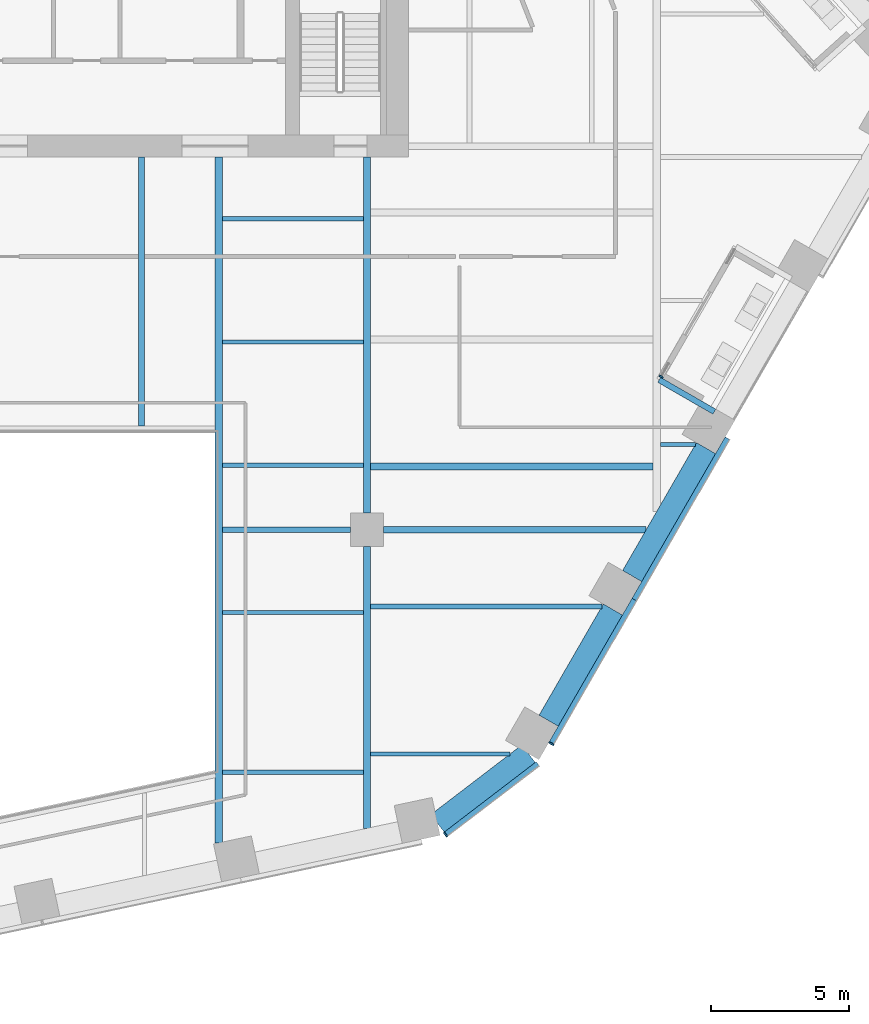
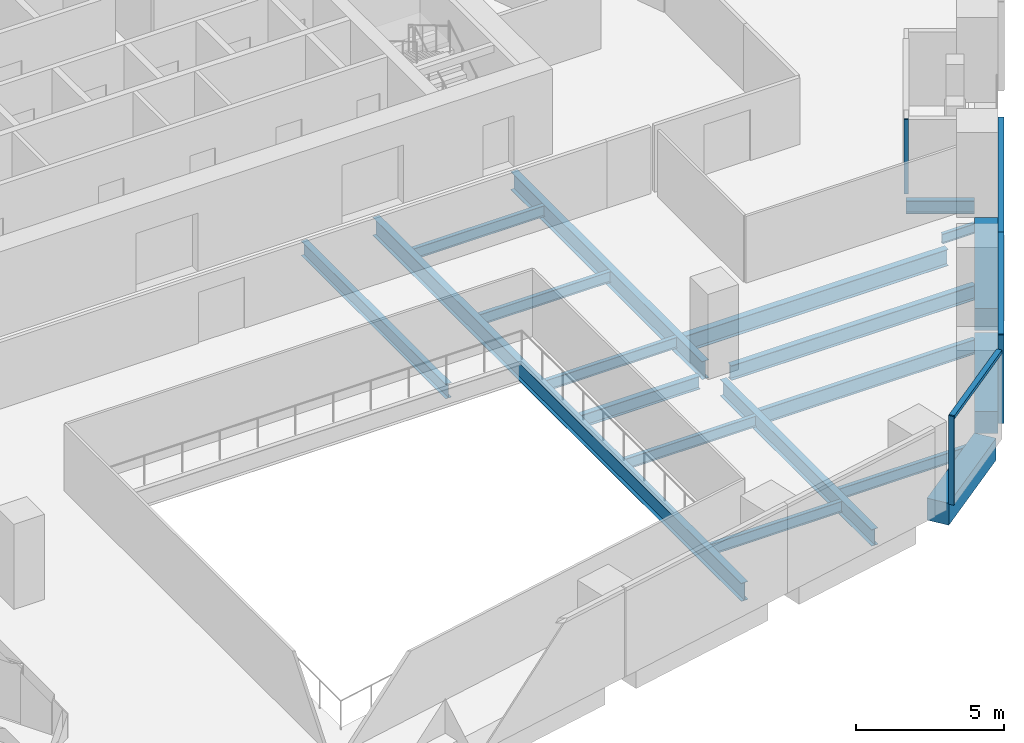
# One storey, part 6 of 26: 19 beams, 6 members, 3 elements without a shape of their own.
"""IFC4 building model written with IfcOpenShell, lengths in metres."""

from ifc_helpers import new_model, si_unit, direction, frame, origin, origin_2d, place, context, subcontext, project, spatial, rectangle, i_section, extrude, material, layer, layer_set, material_profile, profile_set, type_object, element, aggregate, save


model = new_model("IFC4")

# Units and contexts
model_context = context("Model", 3, precision=1e-05, world=origin(), true_north=direction((0.0, 1.0)))
body_context = subcontext(model_context, "Body", "Model", "MODEL_VIEW")
ifc_project = project(units=[si_unit("LENGTHUNIT", "METRE"), si_unit("AREAUNIT", "SQUARE_METRE"), si_unit("VOLUMEUNIT", "CUBIC_METRE"), si_unit("PLANEANGLEUNIT", "RADIAN"), si_unit("MASSUNIT", "GRAM", prefix="KILO")], contexts=[model_context])

# Site, building, storey
site_placement = place(None, origin())
site = spatial("IfcSite", under=ifc_project, at=site_placement, CompositionType="ELEMENT")
building_placement = place(site_placement, origin())
building = spatial("IfcBuilding", under=site, at=building_placement, Name="Isthmus Gate Tower", CompositionType="ELEMENT")
storey_placement = place(building_placement, frame((0.0, 0.0, 129.800048828125)))
storey = spatial("IfcBuildingStorey", under=building, at=storey_placement, Name="L31", CompositionType="ELEMENT", Elevation=129.800048828125)

# Curtain wall, member
ifc_material_1 = material(Name="Aluminium, pale champagne anodised", Category="aluminium")
ifc_layer_1 = layer(ifc_material_1, 0.199951171875)
ifc_layer_set_1 = layer_set([ifc_layer_1], Name="CW-1 UNITISED CURTAIN WALL 200 DEEP")
curtain_wall_type_1 = type_object("IfcCurtainWallType", Name="CW-1 UNITISED CURTAIN WALL 200 DEEP", PredefinedType="NOTDEFINED", material=ifc_layer_set_1)
curtain_wall_1_placement = place(storey_placement, origin())
curtain_wall_1 = element("IfcCurtainWall", 1, at=curtain_wall_1_placement, inside=storey, type_object=curtain_wall_type_1, Name="CW-1 S-SE L31", PredefinedType="NOTDEFINED")
ifc_material_2 = material(Name="Aluminium, pale champagne anodised", Category="aluminium")
ifc_material_profile_1 = material_profile(ifc_material_2, rectangle(XDim=0.06005859375, YDim=0.199951171875, at=origin_2d()), Name="60x200")
ifc_profile_set_1 = profile_set([ifc_material_profile_1], Name="Aluminium, pale champagne anodised")
member_type_1 = type_object("IfcMemberType", Name="CW-1 MULLION 60 X 200", PredefinedType="MULLION", material=ifc_profile_set_1)
member_1_placement = place(storey_placement, frame((16.346435546875, -24.5419921875, 0.0), z_axis=(0.0, 0.0, 1.0), x_axis=(0.794188594387, 0.607671355706, 0.0)))
member_1 = element("IfcMember", 2, at=member_1_placement, type_object=member_type_1, Name="CW-1 mullion", PredefinedType="MULLION", context=body_context, shape_type="SweptSolid", body=[
    extrude(rectangle(XDim=0.06005859375, YDim=0.199951171875, at=origin_2d()), origin(), (0.0, 0.0, 1.0), 3.64990234375),
])

curtain_wall_2_placement = place(storey_placement, origin())
curtain_wall_2 = element("IfcCurtainWall", 3, at=curtain_wall_2_placement, inside=storey, type_object=curtain_wall_type_1, Name="CW-1 SE L31", PredefinedType="NOTDEFINED")
member_2_placement = place(storey_placement, frame((20.18115234375, -21.245361328125, 0.0), z_axis=(0.0, 0.0, 1.0), x_axis=(0.5, 0.866025403784, 0.0)))
member_2 = element("IfcMember", 4, at=member_2_placement, type_object=member_type_1, Name="CW-1 mullion", PredefinedType="MULLION", context=body_context, shape_type="SweptSolid", body=[
    extrude(rectangle(XDim=0.06005859375, YDim=0.199951171875, at=origin_2d()), origin(), (0.0, 0.0, 1.0), 3.64990234375),
])

# Member
ifc_material_3 = material(Name="Aluminium, pale champagne anodised", Category="aluminium")
ifc_material_profile_2 = material_profile(ifc_material_3, rectangle(XDim=0.199951171875, YDim=0.139892578125, at=origin_2d()), Name="200x140")
ifc_profile_set_2 = profile_set([ifc_material_profile_2], Name="Aluminium, pale champagne anodised")
member_type_2 = type_object("IfcMemberType", Name="CW-1 TRANSOM 200 X 140", PredefinedType="USERDEFINED", material=ifc_profile_set_2)
member_3_placement = place(storey_placement, frame((16.3701171875, -24.52392578125, 3.579833984375), z_axis=(0.79419705805, 0.607660294066, 0.0), x_axis=(-0.607660294066, 0.79419705805, 0.0)))
member_3 = element("IfcMember", 5, at=member_3_placement, type_object=member_type_2, Name="CW-1 transom", ObjectType="TRANSOM", PredefinedType="USERDEFINED", context=body_context, shape_type="SweptSolid", body=[
    extrude(rectangle(XDim=0.199951171875, YDim=0.139892578125, at=origin_2d()), origin(), (0.0, 0.0, 1.0), 4.181640625),
])

aggregate(curtain_wall_1, [member_1, member_3])

member_4_placement = place(storey_placement, frame((20.196044921875, -21.219482421875, 3.579833984375), z_axis=(0.499996458184, 0.866027448643, 0.0), x_axis=(-0.866027448643, 0.499996458184, 0.0)))
member_4 = element("IfcMember", 6, at=member_4_placement, type_object=member_type_2, Name="CW-1 transom", ObjectType="TRANSOM", PredefinedType="USERDEFINED", context=body_context, shape_type="SweptSolid", body=[
    extrude(rectangle(XDim=0.199951171875, YDim=0.139892578125, at=origin_2d()), origin(), (0.0, 0.0, 1.0), 5.990234375),
])

member_5_placement = place(storey_placement, frame((23.191162109375, -16.03173828125, 3.579833984375), z_axis=(0.499997969693, 0.866026575979, 0.0), x_axis=(-0.866026575979, 0.499997969693, 0.0)))
member_5 = element("IfcMember", 7, at=member_5_placement, type_object=member_type_2, Name="CW-1 transom", ObjectType="TRANSOM", PredefinedType="USERDEFINED", context=body_context, shape_type="SweptSolid", body=[
    extrude(rectangle(XDim=0.199951171875, YDim=0.139892578125, at=origin_2d()), origin(), (0.0, 0.0, 1.0), 6.75),
])

aggregate(curtain_wall_2, [member_2, member_4, member_5])

# Curtain wall, member
ifc_material_4 = material(Name="Aluminium, pale champagne anodised", Category="aluminium")
ifc_layer_2 = layer(ifc_material_4, 0.14990234375)
ifc_layer_set_2 = layer_set([ifc_layer_2], Name="CW-6 LOGGIA BACK WALL GLAZING 150 DEEP")
curtain_wall_type_2 = type_object("IfcCurtainWallType", Name="CW-6 LOGGIA BACK WALL GLAZING 150 DEEP", PredefinedType="NOTDEFINED", material=ifc_layer_set_2)
curtain_wall_3_placement = place(storey_placement, origin())
curtain_wall_3 = element("IfcCurtainWall", 8, at=curtain_wall_3_placement, inside=storey, type_object=curtain_wall_type_2, Name="CW-6 SE L31", PredefinedType="NOTDEFINED")
ifc_material_5 = material(Name="Aluminium, pale champagne anodised", Category="aluminium")
ifc_material_profile_3 = material_profile(ifc_material_5, rectangle(XDim=0.06005859375, YDim=0.14990234375, at=origin_2d()), Name="60x150")
ifc_profile_set_3 = profile_set([ifc_material_profile_3], Name="Aluminium, pale champagne anodised")
member_type_3 = type_object("IfcMemberType", Name="CW-6 MULLION 60 X 150", PredefinedType="MULLION", material=ifc_profile_set_3)
member_6_placement = place(storey_placement, frame((24.159912109375, -7.953857421875, 0.0), z_axis=(0.0, 0.0, 1.0), x_axis=(0.5, 0.866025403784, 0.0)))
member_6 = element("IfcMember", 9, at=member_6_placement, type_object=member_type_3, Name="CW-6 mullion", PredefinedType="MULLION", context=body_context, shape_type="SweptSolid", body=[
    extrude(rectangle(XDim=0.06005859375, YDim=0.14990234375, at=origin_2d()), origin(), (0.0, 0.0, 1.0), 3.050048828125),
])
aggregate(curtain_wall_3, [member_6])

# Beams
ifc_material_6 = material(Name="Concrete f'c 60 MPa", Category="concrete")
ifc_material_profile_4 = material_profile(ifc_material_6, rectangle(XDim=0.800048828125, YDim=0.89990234375, at=origin_2d()), Name="RC 800X900")
ifc_profile_set_4 = profile_set([ifc_material_profile_4], Name="Concrete f'c 60 MPa")
beam_type_1 = type_object("IfcBeamType", Name="RC SPANDREL 800 X 900", PredefinedType="SPANDREL", material=ifc_profile_set_4)
beam_1_placement = place(storey_placement, frame((25.783203125, -10.542236328125, -0.449951171875), z_axis=(-0.500001594578, -0.866024483152, 0.0), x_axis=(0.866024483152, -0.500001594578, 0.0)))
element("IfcBeam", 10, at=beam_1_placement, inside=storey, type_object=beam_type_1, Name="str-spandrel-L31-08", PredefinedType="SPANDREL", context=body_context, shape_type="SweptSolid", body=[
    extrude(rectangle(XDim=0.800048828125, YDim=0.89990234375, at=origin_2d()), origin(), (0.0, 0.0, 1.0), 5.35009765625),
])
beam_2_placement = place(storey_placement, frame((22.408203125, -16.387939453125, -0.449951171875), z_axis=(-0.500001179632, -0.866024722723, 0.0), x_axis=(0.866024722723, -0.500001179632, 0.0)))
element("IfcBeam", 11, at=beam_2_placement, inside=storey, type_object=beam_type_1, Name="str-spandrel-L31-09", PredefinedType="SPANDREL", context=body_context, shape_type="SweptSolid", body=[
    extrude(rectangle(XDim=0.800048828125, YDim=0.89990234375, at=origin_2d()), origin(), (0.0, 0.0, 1.0), 4.650390625),
])
beam_3_placement = place(storey_placement, frame((19.354248046875, -21.611083984375, -0.449951171875), z_axis=(-0.794205941875, -0.607648682949, 0.0), x_axis=(0.607648682949, -0.794205941875, 0.0)))
element("IfcBeam", 12, at=beam_3_placement, inside=storey, type_object=beam_type_1, Name="str-spandrel-L31-10", PredefinedType="SPANDREL", context=body_context, shape_type="SweptSolid", body=[
    extrude(rectangle(XDim=0.800048828125, YDim=0.89990234375, at=origin_2d()), origin(), (0.0, 0.0, 1.0), 4.15234375),
])
ifc_material_7 = material(Name="Structural steel ASTM A992 Gr 50", Category="steel")
ifc_material_profile_5 = material_profile(ifc_material_7, i_section(OverallWidth=0.1396484375, OverallDepth=0.4033203125, WebThickness=0.00634765625, FlangeThickness=0.010986328125, at=origin_2d()), Name="W16X31")
ifc_profile_set_5 = profile_set([ifc_material_profile_5], Name="Structural steel ASTM A992 Gr 50")
beam_type_2 = type_object("IfcBeamType", Name="STEEL FLOOR BEAM W16X31", PredefinedType="JOIST", material=ifc_profile_set_5)
beam_4_placement = place(storey_placement, frame((24.13330078125, -10.407470703125, -0.3515625), z_axis=(1.0, 0.0, 0.0), x_axis=(0.0, 1.0, 0.0)))
element("IfcBeam", 13, at=beam_4_placement, inside=storey, type_object=beam_type_2, Name="str-beam-L31-18-00", PredefinedType="JOIST", context=body_context, shape_type="SweptSolid", body=[
    extrude(i_section(OverallWidth=0.1396484375, OverallDepth=0.4033203125, WebThickness=0.00634765625, FlangeThickness=0.010986328125, at=origin_2d()), origin(), (0.0, 0.0, 1.0), 1.265869140625),
])
ifc_material_8 = material(Name="Structural steel ASTM A992 Gr 50", Category="steel")
ifc_material_profile_6 = material_profile(ifc_material_8, i_section(OverallWidth=0.15234375, OverallDepth=0.45068359375, WebThickness=0.0078125, FlangeThickness=0.010986328125, at=origin_2d()), Name="W18X35")
ifc_profile_set_6 = profile_set([ifc_material_profile_6], Name="Structural steel ASTM A992 Gr 50")
beam_type_3 = type_object("IfcBeamType", Name="STEEL FLOOR BEAM W18X35", PredefinedType="JOIST", material=ifc_profile_set_6)
for number, where, z_axis, x_axis, name in (
    (14, (8.263427734375, -22.283203125, -0.37548828125), (1.0, 0.0, 0.0), (0.0, 1.0, 0.0), "str-beam-L31-12-00"),
    (15, (8.263427734375, -16.49755859375, -0.37548828125), (1.0, 0.0, 0.0), (0.0, 1.0, 0.0), "str-beam-L31-12-01"),
):
    element("IfcBeam", number, at=place(storey_placement, frame(where, z_axis=z_axis, x_axis=x_axis)), inside=storey, type_object=beam_type_3, Name=name, PredefinedType="JOIST", context=body_context, shape_type="SweptSolid", body=[
        extrude(i_section(OverallWidth=0.15234375, OverallDepth=0.45068359375, WebThickness=0.0078125, FlangeThickness=0.010986328125, at=origin_2d()), origin(), (0.0, 0.0, 1.0), 5.109619140625),
    ])
for number, where, z_axis, x_axis, name in (
    (16, (8.263427734375, -11.16259765625, -0.37548828125), (1.0, 0.0, 0.0), (0.0, 1.0, 0.0), "str-beam-L31-13-00"),
    (17, (8.263427734375, -6.697509765625, -0.37548828125), (1.0, 0.0, 0.0), (0.0, 1.0, 0.0), "str-beam-L31-13-01"),
    (18, (8.263427734375, -2.232421875, -0.37548828125), (1.0, 0.0, 0.0), (0.0, 1.0, 0.0), "str-beam-L31-13-02"),
):
    element("IfcBeam", number, at=place(storey_placement, frame(where, z_axis=z_axis, x_axis=x_axis)), inside=storey, type_object=beam_type_3, Name=name, PredefinedType="JOIST", context=body_context, shape_type="SweptSolid", body=[
        extrude(i_section(OverallWidth=0.15234375, OverallDepth=0.45068359375, WebThickness=0.0078125, FlangeThickness=0.010986328125, at=origin_2d()), origin(), (0.0, 0.0, 1.0), 5.104736328125),
    ])
beam_5_placement = place(storey_placement, frame((13.626953125, -21.61767578125, -0.37548828125), z_axis=(1.0, 0.0, 0.0), x_axis=(0.0, 1.0, 0.0)))
element("IfcBeam", 19, at=beam_5_placement, inside=storey, type_object=beam_type_3, Name="str-beam-L31-14-00", PredefinedType="JOIST", context=body_context, shape_type="SweptSolid", body=[
    extrude(i_section(OverallWidth=0.15234375, OverallDepth=0.45068359375, WebThickness=0.0078125, FlangeThickness=0.010986328125, at=origin_2d()), origin(), (0.0, 0.0, 1.0), 5.060302734375),
])
ifc_material_9 = material(Name="Structural steel ASTM A992 Gr 50", Category="steel")
ifc_material_profile_7 = material_profile(ifc_material_9, i_section(OverallWidth=0.177734375, OverallDepth=0.60009765625, WebThickness=0.009521484375, FlangeThickness=0.0126953125, at=origin_2d()), Name="W24X55")
ifc_profile_set_7 = profile_set([ifc_material_profile_7], Name="Structural steel ASTM A992 Gr 50")
beam_type_4 = type_object("IfcBeamType", Name="STEEL FLOOR BEAM W24X55", PredefinedType="JOIST", material=ifc_profile_set_7)
beam_6_placement = place(storey_placement, frame((13.626953125, -16.2822265625, -0.4501953125), z_axis=(1.0, 0.0, 0.0), x_axis=(0.0, 1.0, 0.0)))
element("IfcBeam", 20, at=beam_6_placement, inside=storey, type_object=beam_type_4, Name="str-beam-L31-14-01", PredefinedType="JOIST", context=body_context, shape_type="SweptSolid", body=[
    extrude(i_section(OverallWidth=0.177734375, OverallDepth=0.60009765625, WebThickness=0.009521484375, FlangeThickness=0.0126953125, at=origin_2d()), origin(), (0.0, 0.0, 1.0), 8.38037109375),
])
ifc_material_10 = material(Name="Structural steel ASTM A992 Gr 50", Category="steel")
ifc_material_profile_8 = material_profile(ifc_material_10, i_section(OverallWidth=0.228515625, OverallDepth=0.603271484375, WebThickness=0.010986328125, FlangeThickness=0.014404296875, at=origin_2d()), Name="W24X68")
ifc_profile_set_8 = profile_set([ifc_material_profile_8], Name="Structural steel ASTM A992 Gr 50")
beam_type_5 = type_object("IfcBeamType", Name="STEEL FLOOR BEAM W24X68", PredefinedType="JOIST", material=ifc_profile_set_8)
beam_7_placement = place(storey_placement, frame((5.333251953125, -9.7333984375, -0.45166015625), z_axis=(0.0, 1.0, 0.0), x_axis=(-1.0, 0.0, 0.0)))
element("IfcBeam", 21, at=beam_7_placement, inside=storey, type_object=beam_type_5, Name="str-beam-L31-09-02", PredefinedType="JOIST", context=body_context, shape_type="SweptSolid", body=[
    extrude(i_section(OverallWidth=0.228515625, OverallDepth=0.603271484375, WebThickness=0.010986328125, FlangeThickness=0.014404296875, at=origin_2d()), origin(), (0.0, 0.0, 1.0), 9.7333984375),
])
ifc_material_11 = material(Name="Structural steel ASTM A992 Gr 50", Category="steel")
ifc_material_profile_9 = material_profile(ifc_material_11, i_section(OverallWidth=0.25390625, OverallDepth=0.679443359375, WebThickness=0.010986328125, FlangeThickness=0.015869140625, at=origin_2d()), Name="W27X84")
ifc_profile_set_9 = profile_set([ifc_material_profile_9], Name="Structural steel ASTM A992 Gr 50")
beam_type_6 = type_object("IfcBeamType", Name="STEEL FLOOR BEAM W27X84", PredefinedType="JOIST", material=ifc_profile_set_9)
beam_8_placement = place(storey_placement, frame((13.6318359375, -11.202392578125, -0.48974609375), z_axis=(1.0, 0.0, 0.0), x_axis=(0.0, 1.0, 0.0)))
element("IfcBeam", 22, at=beam_8_placement, inside=storey, type_object=beam_type_6, Name="str-beam-L31-15-00", PredefinedType="JOIST", context=body_context, shape_type="SweptSolid", body=[
    extrude(i_section(OverallWidth=0.25390625, OverallDepth=0.679443359375, WebThickness=0.010986328125, FlangeThickness=0.015869140625, at=origin_2d()), origin(), (0.0, 0.0, 1.0), 10.23486328125),
])
ifc_material_12 = material(Name="Structural steel ASTM A992 Gr 50", Category="steel")
ifc_material_profile_10 = material_profile(ifc_material_12, i_section(OverallWidth=0.20947265625, OverallDepth=0.533447265625, WebThickness=0.009521484375, FlangeThickness=0.015869140625, at=origin_2d()), Name="W21X62")
ifc_profile_set_10 = profile_set([ifc_material_profile_10], Name="Structural steel ASTM A992 Gr 50")
beam_type_7 = type_object("IfcBeamType", Name="STEEL GIRDER W21X62", PredefinedType="BEAM", material=ifc_profile_set_10)
beam_9_placement = place(storey_placement, frame((8.263427734375, -13.5, -0.416748046875), z_axis=(1.0, 0.0, 0.0), x_axis=(0.0, 1.0, 0.0)))
element("IfcBeam", 23, at=beam_9_placement, inside=storey, type_object=beam_type_7, Name="str-girder-L31-03", PredefinedType="BEAM", context=body_context, shape_type="SweptSolid", body=[
    extrude(i_section(OverallWidth=0.20947265625, OverallDepth=0.533447265625, WebThickness=0.009521484375, FlangeThickness=0.015869140625, at=origin_2d()), origin(), (0.0, 0.0, 1.0), 4.636474609375),
])
ifc_material_13 = material(Name="Structural steel ASTM A992 Gr 50", Category="steel")
ifc_material_profile_11 = material_profile(ifc_material_13, i_section(OverallWidth=0.228515625, OverallDepth=0.6064453125, WebThickness=0.010986328125, FlangeThickness=0.017578125, at=origin_2d()), Name="W24X76")
ifc_profile_set_11 = profile_set([ifc_material_profile_11], Name="Structural steel ASTM A992 Gr 50")
beam_type_8 = type_object("IfcBeamType", Name="STEEL GIRDER W24X76", PredefinedType="BEAM", material=ifc_profile_set_11)
beam_10_placement = place(storey_placement, frame((14.10009765625, -13.5, -0.453369140625), z_axis=(1.0, 0.0, 0.0), x_axis=(0.0, 1.0, 0.0)))
element("IfcBeam", 24, at=beam_10_placement, inside=storey, type_object=beam_type_8, Name="str-girder-L31-04", PredefinedType="BEAM", context=body_context, shape_type="SweptSolid", body=[
    extrude(i_section(OverallWidth=0.228515625, OverallDepth=0.6064453125, WebThickness=0.010986328125, FlangeThickness=0.017578125, at=origin_2d()), origin(), (0.0, 0.0, 1.0), 9.513427734375),
])
ifc_material_14 = material(Name="Structural steel ASTM A992 Gr 50", Category="steel")
ifc_material_profile_12 = material_profile(ifc_material_14, i_section(OverallWidth=0.25390625, OverallDepth=0.679443359375, WebThickness=0.010986328125, FlangeThickness=0.015869140625, at=origin_2d()), Name="W27X84")
ifc_profile_set_12 = profile_set([ifc_material_profile_12], Name="Structural steel ASTM A992 Gr 50")
beam_type_9 = type_object("IfcBeamType", Name="STEEL GIRDER W27X84", PredefinedType="BEAM", material=ifc_profile_set_12)
beam_11_placement = place(storey_placement, frame((13.5, -24.3125, -0.48974609375), z_axis=(0.0, 1.0, 0.0), x_axis=(-1.0, 0.0, 0.0)))
element("IfcBeam", 25, at=beam_11_placement, inside=storey, type_object=beam_type_9, Name="str-girder-L31-08", PredefinedType="BEAM", context=body_context, shape_type="SweptSolid", body=[
    extrude(i_section(OverallWidth=0.25390625, OverallDepth=0.679443359375, WebThickness=0.010986328125, FlangeThickness=0.015869140625, at=origin_2d()), origin(), (0.0, 0.0, 1.0), 10.21240234375),
])
ifc_material_15 = material(Name="Structural steel ASTM A992 Gr 50", Category="steel")
ifc_material_profile_13 = material_profile(ifc_material_15, i_section(OverallWidth=0.263427734375, OverallDepth=0.749267578125, WebThickness=0.0126953125, FlangeThickness=0.015869140625, at=origin_2d()), Name="W30X90")
ifc_profile_set_13 = profile_set([ifc_material_profile_13], Name="Structural steel ASTM A992 Gr 50")
beam_type_10 = type_object("IfcBeamType", Name="STEEL GIRDER W30X90", PredefinedType="BEAM", material=ifc_profile_set_13)
beam_12_placement = place(storey_placement, frame((13.5, -12.89990234375, -0.524658203125), z_axis=(0.0, 1.0, 0.0), x_axis=(-1.0, 0.0, 0.0)))
element("IfcBeam", 26, at=beam_12_placement, inside=storey, type_object=beam_type_10, Name="str-girder-L31-09", PredefinedType="BEAM", context=body_context, shape_type="SweptSolid", body=[
    extrude(i_section(OverallWidth=0.263427734375, OverallDepth=0.749267578125, WebThickness=0.0126953125, FlangeThickness=0.015869140625, at=origin_2d()), origin(), (0.0, 0.0, 1.0), 12.89990234375),
])
ifc_material_16 = material(Name="Structural steel ASTM A992 Gr 50", Category="steel")
ifc_material_profile_14 = material_profile(ifc_material_16, i_section(OverallWidth=0.20947265625, OverallDepth=0.533447265625, WebThickness=0.009521484375, FlangeThickness=0.015869140625, at=origin_2d()), Name="W21X62")
ifc_profile_set_14 = profile_set([ifc_material_profile_14], Name="Structural steel ASTM A992 Gr 50")
beam_type_11 = type_object("IfcBeamType", Name="STEEL TRIMMER W21X62", PredefinedType="BEAM", material=ifc_profile_set_14)
beam_13_placement = place(storey_placement, frame((26.08447265625, -9.220458984375, -0.416748046875), z_axis=(-0.866044474677, 0.49996696679, 0.0), x_axis=(-0.49996696679, -0.866044474677, 0.0)))
element("IfcBeam", 27, at=beam_13_placement, inside=storey, type_object=beam_type_11, Name="str-loggiatrim-L31-04-A", PredefinedType="BEAM", context=body_context, shape_type="SweptSolid", body=[
    extrude(i_section(OverallWidth=0.20947265625, OverallDepth=0.533447265625, WebThickness=0.009521484375, FlangeThickness=0.015869140625, at=origin_2d()), origin(), (0.0, 0.0, 1.0), 2.304931640625),
])
ifc_material_17 = material(Name="Structural steel ASTM A992 Gr 50", Category="steel")
ifc_material_profile_15 = material_profile(ifc_material_17, i_section(OverallWidth=0.263427734375, OverallDepth=0.749267578125, WebThickness=0.0126953125, FlangeThickness=0.015869140625, at=origin_2d()), Name="W30X90")
ifc_profile_set_15 = profile_set([ifc_material_profile_15], Name="Structural steel ASTM A992 Gr 50")
beam_type_12 = type_object("IfcBeamType", Name="STEEL TRIMMER W30X90", PredefinedType="BEAM", material=ifc_profile_set_15)
beam_14_placement = place(storey_placement, frame((8.1318359375, -24.84033203125, -0.524658203125), z_axis=(0.0, 1.0, 0.0), x_axis=(-1.0, 0.0, 0.0)))
element("IfcBeam", 28, at=beam_14_placement, inside=storey, type_object=beam_type_12, Name="str-trimmer-L31-01", PredefinedType="BEAM", context=body_context, shape_type="SweptSolid", body=[
    extrude(i_section(OverallWidth=0.263427734375, OverallDepth=0.749267578125, WebThickness=0.0126953125, FlangeThickness=0.015869140625, at=origin_2d()), origin(), (0.0, 0.0, 1.0), 24.84033203125),
])

save(model, "model.ifc")
